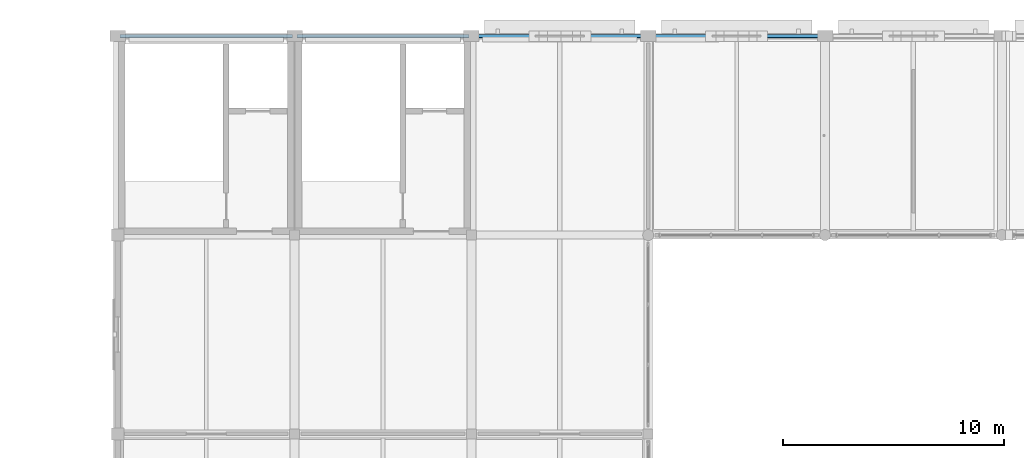
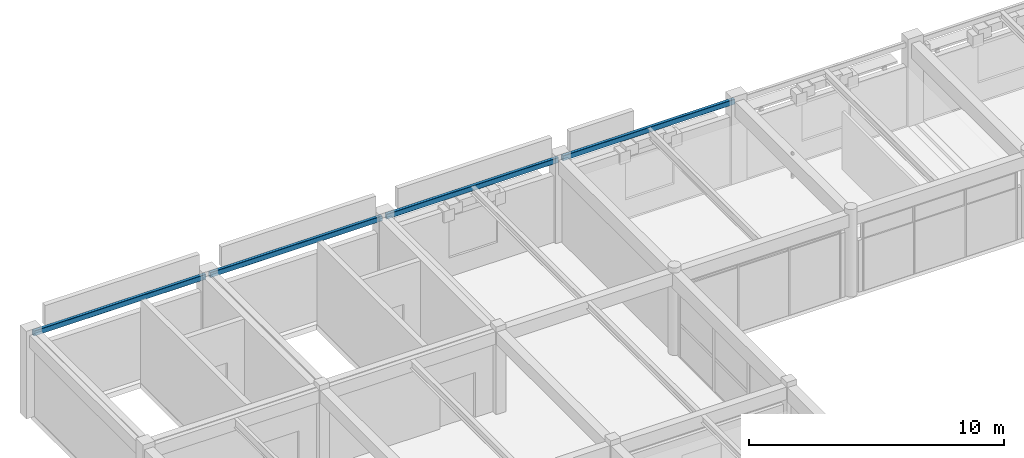
# One storey, part 56 of 126: 4 beams.
"""IFC4 building model written with IfcOpenShell, lengths in metres."""

import ifcopenshell
import ifcopenshell.guid

model = None  # the IFC model being written
_history = None  # IfcOwnerHistory: only IFC2X3 demands one
_inside = {}  # id of a spatial element -> (the spatial element, [elements in it])
_under = {}  # id of a project, library or spatial element -> (it, [spatial elements below it])
_declared = {}  # id of a project -> (the project, [libraries it declares])
_typed = {}  # id of a type object -> (the type object, [elements of that type])
_made_of = {}  # id of a material, layer set ... -> (it, [elements and type objects made of it])


def new_model(schema):
    """Start an empty IFC model of exactly this schema.

    Asked for "IFC4X3", IfcOpenShell would pick the latest addendum, in which some entities
    have other attributes; the version numbers below select the first issue.
    IFC2X3 requires an IfcOwnerHistory on every rooted entity: one is made here for all.
    """
    global model, _history
    if schema == "IFC4X3":
        model = ifcopenshell.file(schema_version=(4, 3, 0, 0))
    else:
        model = ifcopenshell.file(schema=schema)
    _inside.clear()
    _under.clear()
    _declared.clear()
    _typed.clear()
    _made_of.clear()
    _history = None
    if model.schema == "IFC2X3":
        org = make("IfcOrganization", Name="unknown")
        user = make(
            "IfcPersonAndOrganization",
            ThePerson=make("IfcPerson", FamilyName="unknown"),
            TheOrganization=org,
        )
        app = make(
            "IfcApplication",
            ApplicationDeveloper=org,
            Version="unknown",
            ApplicationFullName="unknown",
            ApplicationIdentifier="unknown",
        )
        _history = make(
            "IfcOwnerHistory",
            OwningUser=user,
            OwningApplication=app,
            ChangeAction="ADDED",
            CreationDate=0,
        )
    return model


def make(cls, **values):
    """One entity of the class cls with the attributes given. An attribute that is None is left unset."""
    return model.create_entity(
        cls, **{name: value for name, value in values.items() if value is not None}
    )


def rooted(cls, **values):
    """An entity with a GlobalId (a new one), such as an element, a storey or a relation."""
    return make(cls, GlobalId=ifcopenshell.guid.new(), OwnerHistory=_history, **values)


def si_unit(unit_type, name, prefix=None):
    """IfcSIUnit, for example si_unit("LENGTHUNIT", "METRE", prefix="MILLI")."""
    return make("IfcSIUnit", UnitType=unit_type, Prefix=prefix, Name=name)


def assignment(units):
    """IfcUnitAssignment: the units of a project."""
    return None if units is None else make("IfcUnitAssignment", Units=units)


def point(xyz):
    """IfcCartesianPoint."""
    return None if xyz is None else make("IfcCartesianPoint", Coordinates=xyz)


def direction(xyz):
    """IfcDirection."""
    return None if xyz is None else make("IfcDirection", DirectionRatios=xyz)


def frame(location, z_axis=None, x_axis=None):
    """IfcAxis2Placement3D, a coordinate frame: its origin and axes. An axis left out is left unset."""
    return make(
        "IfcAxis2Placement3D",
        Location=point(location),
        Axis=direction(z_axis),
        RefDirection=direction(x_axis),
    )


def frame_2d(location, x_axis=None):
    """IfcAxis2Placement2D, a coordinate frame in the plane: its origin and x axis."""
    return make(
        "IfcAxis2Placement2D", Location=point(location), RefDirection=direction(x_axis)
    )


def origin():
    """The frame at (0, 0, 0) with its axes left unset."""
    return frame((0.0, 0.0, 0.0))


def origin_2d():
    """The frame at (0, 0) in the plane with its x axis left unset."""
    return frame_2d((0.0, 0.0))


def place(relative_to, where):
    """IfcLocalPlacement: puts the frame where relative to a parent placement (None: the world)."""
    return make(
        "IfcLocalPlacement", PlacementRelTo=relative_to, RelativePlacement=where
    )


def context(
    kind, dimensions, precision=None, world=None, true_north=None, identifier=None
):
    """IfcGeometricRepresentationContext, for example the 3D "Model" context."""
    return make(
        "IfcGeometricRepresentationContext",
        ContextIdentifier=identifier,
        ContextType=kind,
        CoordinateSpaceDimension=dimensions,
        Precision=precision,
        WorldCoordinateSystem=world,
        TrueNorth=true_north,
    )


def subcontext(parent, identifier, kind, view, scale=None):
    """IfcGeometricRepresentationSubContext, for example "Body" below "Model"."""
    return make(
        "IfcGeometricRepresentationSubContext",
        ContextIdentifier=identifier,
        ContextType=kind,
        ParentContext=parent,
        TargetScale=scale,
        TargetView=view,
    )


def project(units=None, contexts=None):
    """IfcProject with its units and contexts."""
    return rooted(
        "IfcProject",
        Name="project",
        RepresentationContexts=contexts,
        UnitsInContext=assignment(units),
    )


def spatial(cls, under=None, at=None, **own):
    """A site, building, storey or space (cls), placed at a placement, below another one or the project."""
    s = rooted(cls, ObjectPlacement=at, **own)
    if under is not None:
        _under.setdefault(under.id(), (under, []))[1].append(s)
    return s


def profile(cls, at=None, kind="AREA", **sizes):
    """A parametric profile (cls). Its sizes go by their IFC names, for example OverallWidth=200.0."""
    return make(cls, ProfileType=kind, Position=at, **sizes)


def hollow_rectangle(**sizes):
    """IfcRectangleHollowProfileDef."""
    return profile("IfcRectangleHollowProfileDef", **sizes)


def extrude(swept, where, along, depth):
    """IfcExtrudedAreaSolid: the profile swept, set in the frame where, extruded along a direction by depth."""
    return make(
        "IfcExtrudedAreaSolid",
        SweptArea=swept,
        Position=where,
        ExtrudedDirection=direction(along),
        Depth=depth,
    )


def shape(context_of_items, identifier, shape_type, items):
    """IfcShapeRepresentation: the items that make up one representation, for example the "Body"."""
    return make(
        "IfcShapeRepresentation",
        ContextOfItems=context_of_items,
        RepresentationIdentifier=identifier,
        RepresentationType=shape_type,
        Items=items,
    )


def material(Name=None, Category=None):
    """IfcMaterial."""
    return make("IfcMaterial", Name=Name, Category=Category)


def material_profile(
    of_material, cross_section, Name=None, Category=None, Priority=None
):
    """IfcMaterialProfile: a cross section and its material."""
    return make(
        "IfcMaterialProfile",
        Name=Name,
        Material=of_material,
        Profile=cross_section,
        Priority=Priority,
        Category=Category,
    )


def profile_set(profiles, Name=None, composite=None):
    """IfcMaterialProfileSet."""
    return make(
        "IfcMaterialProfileSet",
        Name=Name,
        MaterialProfiles=profiles,
        CompositeProfile=composite,
    )


def made_of(thing, what):
    """Note that an element or type object is made of a material, layer set ...; save() writes the relation."""
    if what is not None:
        _made_of.setdefault(what.id(), (what, []))[1].append(thing)
    return thing


def type_object(cls, material=None, **own):
    """A type object (cls), such as IfcWallType, which elements share."""
    return made_of(rooted(cls, **own), material)


def element(
    cls,
    number,
    at=None,
    inside=None,
    cuts=None,
    type_object=None,
    material=None,
    context=None,
    identifier="Body",
    shape_type=None,
    held_by="IfcProductDefinitionShape",
    body=None,
    shapes=None,
    **own,
):
    """One element of the class cls, such as IfcWall. Its Tag is "e" and its number.

    at: its placement. inside: the storey or other place that contains it. cuts: it is an
    opening in that element (IfcRelVoidsElement). A single representation is given by context,
    identifier, shape_type and body (its items); several are given by shapes. held_by: the class
    of the entity that holds the representations. save() writes the other relations.
    """
    e = rooted(cls, Tag="e%d" % number, ObjectPlacement=at, **own)
    if body is not None:
        shapes = [shape(context, identifier, shape_type, body)]
    if shapes is not None:
        e.Representation = make(held_by, Representations=shapes)
    if inside is not None:
        _inside.setdefault(inside.id(), (inside, []))[1].append(e)
    if cuts is not None:
        rooted(
            "IfcRelVoidsElement", RelatingBuildingElement=cuts, RelatedOpeningElement=e
        )
    if type_object is not None:
        _typed.setdefault(type_object.id(), (type_object, []))[1].append(e)
    return made_of(e, material)


def aggregate(whole, parts):
    """IfcRelAggregates: a whole, such as a stair, and the parts it consists of."""
    return rooted("IfcRelAggregates", RelatingObject=whole, RelatedObjects=parts)


def save(model, path):
    """Write the relations noted so far, then the file.

    IfcRelAggregates (storeys below a building ...), IfcRelContainedInSpatialStructure (elements
    in a storey), IfcRelDefinesByType, IfcRelAssociatesMaterial and IfcRelDeclares: one each for
    every whole, place, type object, material and project.
    """
    for whole, parts in _under.values():
        aggregate(whole, parts)
    for where, things in _inside.values():
        rooted(
            "IfcRelContainedInSpatialStructure",
            RelatedElements=things,
            RelatingStructure=where,
        )
    for kind, things in _typed.values():
        rooted("IfcRelDefinesByType", RelatedObjects=things, RelatingType=kind)
    for what, things in _made_of.values():
        rooted("IfcRelAssociatesMaterial", RelatedObjects=things, RelatingMaterial=what)
    for by, libraries in _declared.values():
        rooted("IfcRelDeclares", RelatingContext=by, RelatedDefinitions=libraries)
    model.write(path)


model = new_model("IFC4")

# Units and contexts
model_context = context("Model", 3, precision=1e-05, world=origin(), true_north=direction((0.0, 1.0)))
body_context = subcontext(model_context, "Body", "Model", "MODEL_VIEW")
ifc_project = project(units=[si_unit("LENGTHUNIT", "METRE"), si_unit("AREAUNIT", "SQUARE_METRE"), si_unit("VOLUMEUNIT", "CUBIC_METRE"), si_unit("PLANEANGLEUNIT", "RADIAN"), si_unit("MASSUNIT", "GRAM", prefix="KILO")], contexts=[model_context])

# Site, building, storey
site_placement = place(None, origin())
site = spatial("IfcSite", under=ifc_project, at=site_placement, CompositionType="ELEMENT")
building_placement = place(site_placement, origin())
building = spatial("IfcBuilding", under=site, at=building_placement, Name="Varnabhumi Central Station", CompositionType="ELEMENT")
storey_placement = place(building_placement, frame((0.0, 0.0, 16.199951171875)))
storey = spatial("IfcBuildingStorey", under=building, at=storey_placement, Name="L03", CompositionType="ELEMENT", Elevation=16.199951171875)

# Beams
ifc_material = material(Name="Structural steel E350", Category="steel")
ifc_material_profile = material_profile(ifc_material, hollow_rectangle(XDim=0.14990234375, YDim=0.25, WallThickness=0.010009765625, InnerFilletRadius=0.010009765625, OuterFilletRadius=0.02001953125, at=origin_2d()), Name="Structural steel E350", Category="steel")
ifc_profile_set = profile_set([ifc_material_profile], Name="Structural steel E350")
beam_type = type_object("IfcBeamType", Name="BM-EDGE-RHS250", PredefinedType="SPANDREL", material=ifc_profile_set)
for number, where, z_axis, x_axis, name in (
    (1, (24.10009765625, 116.0, 3.824951171875), (1.0, 0.0, 0.0), (0.0, 1.0, 0.0), "Beam L03-P:4-5"),
    (2, (32.10009765625, 116.0, 3.824951171875), (1.0, 0.0, 0.0), (0.0, 1.0, 0.0), "Beam L03-P:5-6"),
    (3, (40.10009765625, 116.0, 3.824951171875), (1.0, 0.0, 0.0), (0.0, 1.0, 0.0), "Beam L03-P:6-7"),
    (4, (48.10009765625, 116.0, 3.824951171875), (1.0, 0.0, 0.0), (0.0, 1.0, 0.0), "Beam L03-P:7-8"),
):
    element("IfcBeam", number, at=place(storey_placement, frame(where, z_axis=z_axis, x_axis=x_axis)), inside=storey, type_object=beam_type, Name=name, PredefinedType="SPANDREL", context=body_context, shape_type="SweptSolid", body=[
        extrude(hollow_rectangle(XDim=0.14990234375, YDim=0.25, WallThickness=0.010009765625, InnerFilletRadius=0.010009765625, OuterFilletRadius=0.02001953125, at=origin_2d()), origin(), (0.0, 0.0, 1.0), 7.7998046875),
    ])

save(model, "model.ifc")
